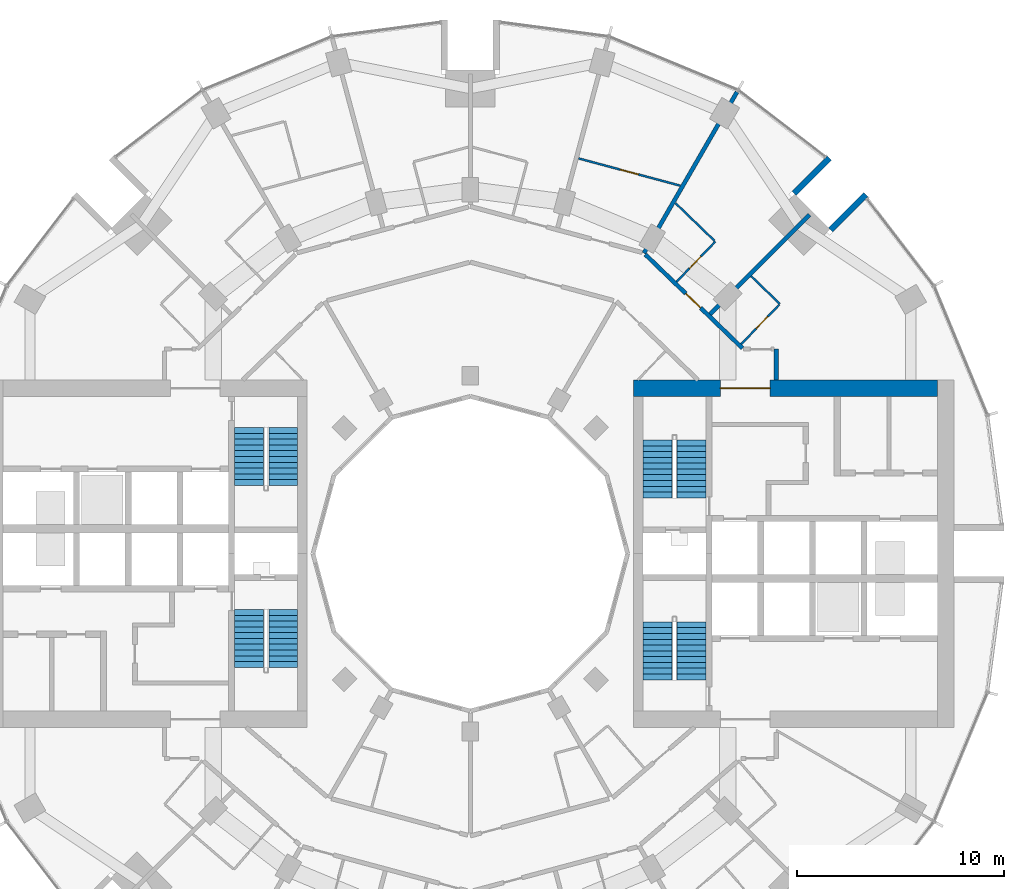
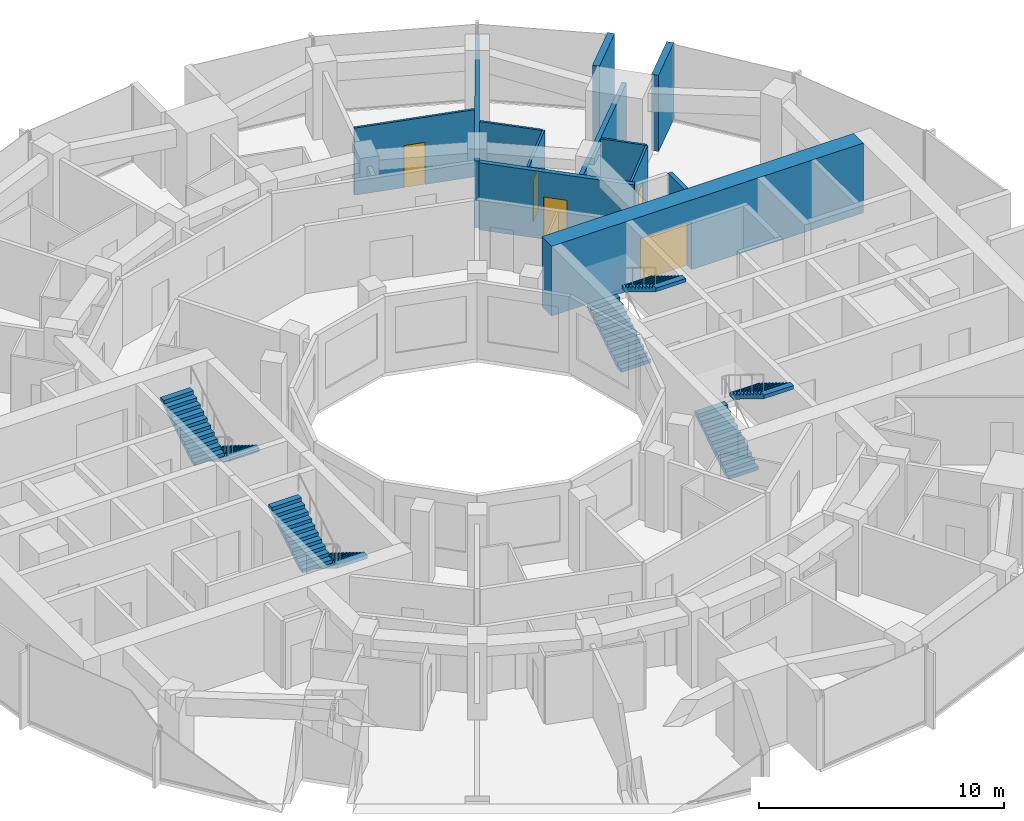
# One storey, part 13 of 15: 12 walls, 8 stair flights, 5 doors, 5 openings, 4 elements without a shape of their own.
"""IFC4 building model written with IfcOpenShell, lengths in metres."""

import ifcopenshell
import ifcopenshell.guid

model = None  # the IFC model being written
_history = None  # IfcOwnerHistory: only IFC2X3 demands one
_inside = {}  # id of a spatial element -> (the spatial element, [elements in it])
_under = {}  # id of a project, library or spatial element -> (it, [spatial elements below it])
_declared = {}  # id of a project -> (the project, [libraries it declares])
_typed = {}  # id of a type object -> (the type object, [elements of that type])
_made_of = {}  # id of a material, layer set ... -> (it, [elements and type objects made of it])


def new_model(schema):
    """Start an empty IFC model of exactly this schema.

    Asked for "IFC4X3", IfcOpenShell would pick the latest addendum, in which some entities
    have other attributes; the version numbers below select the first issue.
    IFC2X3 requires an IfcOwnerHistory on every rooted entity: one is made here for all.
    """
    global model, _history
    if schema == "IFC4X3":
        model = ifcopenshell.file(schema_version=(4, 3, 0, 0))
    else:
        model = ifcopenshell.file(schema=schema)
    _inside.clear()
    _under.clear()
    _declared.clear()
    _typed.clear()
    _made_of.clear()
    _history = None
    if model.schema == "IFC2X3":
        org = make("IfcOrganization", Name="unknown")
        user = make(
            "IfcPersonAndOrganization",
            ThePerson=make("IfcPerson", FamilyName="unknown"),
            TheOrganization=org,
        )
        app = make(
            "IfcApplication",
            ApplicationDeveloper=org,
            Version="unknown",
            ApplicationFullName="unknown",
            ApplicationIdentifier="unknown",
        )
        _history = make(
            "IfcOwnerHistory",
            OwningUser=user,
            OwningApplication=app,
            ChangeAction="ADDED",
            CreationDate=0,
        )
    return model


def make(cls, **values):
    """One entity of the class cls with the attributes given. An attribute that is None is left unset."""
    return model.create_entity(
        cls, **{name: value for name, value in values.items() if value is not None}
    )


def rooted(cls, **values):
    """An entity with a GlobalId (a new one), such as an element, a storey or a relation."""
    return make(cls, GlobalId=ifcopenshell.guid.new(), OwnerHistory=_history, **values)


def si_unit(unit_type, name, prefix=None):
    """IfcSIUnit, for example si_unit("LENGTHUNIT", "METRE", prefix="MILLI")."""
    return make("IfcSIUnit", UnitType=unit_type, Prefix=prefix, Name=name)


def assignment(units):
    """IfcUnitAssignment: the units of a project."""
    return None if units is None else make("IfcUnitAssignment", Units=units)


def point(xyz):
    """IfcCartesianPoint."""
    return None if xyz is None else make("IfcCartesianPoint", Coordinates=xyz)


def direction(xyz):
    """IfcDirection."""
    return None if xyz is None else make("IfcDirection", DirectionRatios=xyz)


def frame(location, z_axis=None, x_axis=None):
    """IfcAxis2Placement3D, a coordinate frame: its origin and axes. An axis left out is left unset."""
    return make(
        "IfcAxis2Placement3D",
        Location=point(location),
        Axis=direction(z_axis),
        RefDirection=direction(x_axis),
    )


def frame_2d(location, x_axis=None):
    """IfcAxis2Placement2D, a coordinate frame in the plane: its origin and x axis."""
    return make(
        "IfcAxis2Placement2D", Location=point(location), RefDirection=direction(x_axis)
    )


def origin():
    """The frame at (0, 0, 0) with its axes left unset."""
    return frame((0.0, 0.0, 0.0))


def place(relative_to, where):
    """IfcLocalPlacement: puts the frame where relative to a parent placement (None: the world)."""
    return make(
        "IfcLocalPlacement", PlacementRelTo=relative_to, RelativePlacement=where
    )


def context(
    kind, dimensions, precision=None, world=None, true_north=None, identifier=None
):
    """IfcGeometricRepresentationContext, for example the 3D "Model" context."""
    return make(
        "IfcGeometricRepresentationContext",
        ContextIdentifier=identifier,
        ContextType=kind,
        CoordinateSpaceDimension=dimensions,
        Precision=precision,
        WorldCoordinateSystem=world,
        TrueNorth=true_north,
    )


def subcontext(parent, identifier, kind, view, scale=None):
    """IfcGeometricRepresentationSubContext, for example "Body" below "Model"."""
    return make(
        "IfcGeometricRepresentationSubContext",
        ContextIdentifier=identifier,
        ContextType=kind,
        ParentContext=parent,
        TargetScale=scale,
        TargetView=view,
    )


def project(units=None, contexts=None):
    """IfcProject with its units and contexts."""
    return rooted(
        "IfcProject",
        Name="project",
        RepresentationContexts=contexts,
        UnitsInContext=assignment(units),
    )


def spatial(cls, under=None, at=None, **own):
    """A site, building, storey or space (cls), placed at a placement, below another one or the project."""
    s = rooted(cls, ObjectPlacement=at, **own)
    if under is not None:
        _under.setdefault(under.id(), (under, []))[1].append(s)
    return s


def polyline(points):
    """IfcPolyline through the points."""
    return make("IfcPolyline", Points=[point(p) for p in points])


def profile(cls, at=None, kind="AREA", **sizes):
    """A parametric profile (cls). Its sizes go by their IFC names, for example OverallWidth=200.0."""
    return make(cls, ProfileType=kind, Position=at, **sizes)


def rectangle(**sizes):
    """IfcRectangleProfileDef."""
    return profile("IfcRectangleProfileDef", **sizes)


def outline(outer, holes=None, kind="AREA"):
    """IfcArbitraryClosedProfileDef: a profile drawn as a closed curve; with holes, ...WithVoids."""
    if holes is None:
        return make("IfcArbitraryClosedProfileDef", ProfileType=kind, OuterCurve=outer)
    return make(
        "IfcArbitraryProfileDefWithVoids",
        ProfileType=kind,
        OuterCurve=outer,
        InnerCurves=holes,
    )


def extrude(swept, where, along, depth):
    """IfcExtrudedAreaSolid: the profile swept, set in the frame where, extruded along a direction by depth."""
    return make(
        "IfcExtrudedAreaSolid",
        SweptArea=swept,
        Position=where,
        ExtrudedDirection=direction(along),
        Depth=depth,
    )


def shape(context_of_items, identifier, shape_type, items):
    """IfcShapeRepresentation: the items that make up one representation, for example the "Body"."""
    return make(
        "IfcShapeRepresentation",
        ContextOfItems=context_of_items,
        RepresentationIdentifier=identifier,
        RepresentationType=shape_type,
        Items=items,
    )


def material(Name=None, Category=None):
    """IfcMaterial."""
    return make("IfcMaterial", Name=Name, Category=Category)


def layer(
    of_material, thickness, ventilated=None, Name=None, Category=None, Priority=None
):
    """IfcMaterialLayer: one layer of a wall or slab, of a material (None: an air gap)."""
    return make(
        "IfcMaterialLayer",
        Material=of_material,
        LayerThickness=thickness,
        IsVentilated=ventilated,
        Name=Name,
        Category=Category,
        Priority=Priority,
    )


def layer_set(layers, Name=None):
    """IfcMaterialLayerSet."""
    return make("IfcMaterialLayerSet", MaterialLayers=layers, LayerSetName=Name)


def made_of(thing, what):
    """Note that an element or type object is made of a material, layer set ...; save() writes the relation."""
    if what is not None:
        _made_of.setdefault(what.id(), (what, []))[1].append(thing)
    return thing


def type_object(cls, material=None, **own):
    """A type object (cls), such as IfcWallType, which elements share."""
    return made_of(rooted(cls, **own), material)


def element(
    cls,
    number,
    at=None,
    inside=None,
    cuts=None,
    type_object=None,
    material=None,
    context=None,
    identifier="Body",
    shape_type=None,
    held_by="IfcProductDefinitionShape",
    body=None,
    shapes=None,
    **own,
):
    """One element of the class cls, such as IfcWall. Its Tag is "e" and its number.

    at: its placement. inside: the storey or other place that contains it. cuts: it is an
    opening in that element (IfcRelVoidsElement). A single representation is given by context,
    identifier, shape_type and body (its items); several are given by shapes. held_by: the class
    of the entity that holds the representations. save() writes the other relations.
    """
    e = rooted(cls, Tag="e%d" % number, ObjectPlacement=at, **own)
    if body is not None:
        shapes = [shape(context, identifier, shape_type, body)]
    if shapes is not None:
        e.Representation = make(held_by, Representations=shapes)
    if inside is not None:
        _inside.setdefault(inside.id(), (inside, []))[1].append(e)
    if cuts is not None:
        rooted(
            "IfcRelVoidsElement", RelatingBuildingElement=cuts, RelatedOpeningElement=e
        )
    if type_object is not None:
        _typed.setdefault(type_object.id(), (type_object, []))[1].append(e)
    return made_of(e, material)


def fill(opening, filler):
    """IfcRelFillsElement: the door or window that sits in an opening."""
    return rooted(
        "IfcRelFillsElement",
        RelatingOpeningElement=opening,
        RelatedBuildingElement=filler,
    )


def aggregate(whole, parts):
    """IfcRelAggregates: a whole, such as a stair, and the parts it consists of."""
    return rooted("IfcRelAggregates", RelatingObject=whole, RelatedObjects=parts)


def save(model, path):
    """Write the relations noted so far, then the file.

    IfcRelAggregates (storeys below a building ...), IfcRelContainedInSpatialStructure (elements
    in a storey), IfcRelDefinesByType, IfcRelAssociatesMaterial and IfcRelDeclares: one each for
    every whole, place, type object, material and project.
    """
    for whole, parts in _under.values():
        aggregate(whole, parts)
    for where, things in _inside.values():
        rooted(
            "IfcRelContainedInSpatialStructure",
            RelatedElements=things,
            RelatingStructure=where,
        )
    for kind, things in _typed.values():
        rooted("IfcRelDefinesByType", RelatedObjects=things, RelatingType=kind)
    for what, things in _made_of.values():
        rooted("IfcRelAssociatesMaterial", RelatedObjects=things, RelatingMaterial=what)
    for by, libraries in _declared.values():
        rooted("IfcRelDeclares", RelatingContext=by, RelatedDefinitions=libraries)
    model.write(path)


model = new_model("IFC4")

# Units and contexts
model_context = context("Model", 3, precision=1e-05, world=origin(), true_north=direction((0.0, 1.0)))
body_context = subcontext(model_context, "Body", "Model", "MODEL_VIEW")
ifc_project = project(units=[si_unit("LENGTHUNIT", "METRE"), si_unit("AREAUNIT", "SQUARE_METRE"), si_unit("VOLUMEUNIT", "CUBIC_METRE"), si_unit("PLANEANGLEUNIT", "RADIAN"), si_unit("MASSUNIT", "GRAM", prefix="KILO")], contexts=[model_context])

# Site, building, storey
site_placement = place(None, origin())
site = spatial("IfcSite", under=ifc_project, at=site_placement, CompositionType="ELEMENT")
building_placement = place(site_placement, origin())
building = spatial("IfcBuilding", under=site, at=building_placement, Name="Torre Brocal", CompositionType="ELEMENT")
storey_placement = place(building_placement, frame((0.0, 0.0, 40.199951171875)))
storey = spatial("IfcBuildingStorey", under=building, at=storey_placement, Name="L08", CompositionType="ELEMENT", Elevation=40.199951171875)

# Wall, opening, door
ifc_material_1 = material(Name="Concrete C80", Category="concrete")
ifc_layer_1 = layer(ifc_material_1, 0.800048828125)
ifc_layer_set_1 = layer_set([ifc_layer_1], Name="Concrete C80")
wall_type_1 = type_object("IfcWallType", Name="CORE WALL 800 C80", PredefinedType="SHEAR", material=ifc_layer_set_1)
wall_1_placement = place(storey_placement, frame((87.89990234375, 83.0, 0.0), z_axis=(0.0, 0.0, 1.0), x_axis=(1.0, 0.0, 0.0)))
wall_1 = element("IfcWall", 1, at=wall_1_placement, inside=storey, type_object=wall_type_1, Name="Wall CW800-80", PredefinedType="SHEAR", context=body_context, shape_type="SweptSolid", body=[
    extrude(rectangle(XDim=14.7001953125, YDim=0.800048828125, at=frame_2d((7.35009765625, 0.0))), origin(), (0.0, 0.0, 1.0), 3.47998046875),
])
opening_1_placement = place(wall_1_placement, frame((4.199951171875, 0.0, 0.0)))
opening_1 = element("IfcOpeningElement", 2, at=opening_1_placement, cuts=wall_1, Name="Opening E-D24", PredefinedType="OPENING", context=body_context, shape_type="SweptSolid", body=[
    extrude(rectangle(XDim=2.39990234375, YDim=2.39990234375, at=frame_2d((1.199951171875, 1.199951171875))), frame((0.0, 0.409912109375, 0.0), z_axis=(0.0, -1.0, 0.0), x_axis=(1.0, 0.0, 0.0)), (0.0, 0.0, 1.0), 0.820068359375),
])
ifc_material_2 = material(Name="Steel A653", Category="steel")
door_type_1 = type_object("IfcDoorType", Name="DOUBLE FIRE DOOR FD90 2400X2400", OperationType="DOUBLE_DOOR_SINGLE_SWING", PredefinedType="DOOR", material=ifc_material_2)
door_1_placement = place(opening_1_placement, frame((2.39990234375, 0.0, 0.0), z_axis=(0.0, 0.0, 1.0), x_axis=(-1.0, 0.0, 0.0)))
door_1 = element("IfcDoor", 3, at=door_1_placement, inside=storey, type_object=door_type_1, Name="Door E-D24", OperationType="DOUBLE_DOOR_SINGLE_SWING", OverallHeight=2.39990234375, OverallWidth=2.39990234375, PredefinedType="DOOR", context=body_context, shape_type="SweptSolid", body=[
    extrude(rectangle(XDim=2.39990234375, YDim=2.39990234375, at=frame_2d((1.199951171875, 1.199951171875))), frame((0.0, 0.02490234375, 0.0), z_axis=(0.0, -1.0, 0.0), x_axis=(1.0, 0.0, 0.0)), (0.0, 0.0, 1.0), 0.050048828125),
])
fill(opening_1, door_1)

# Walls
ifc_material_3 = material(Name="Concrete C80", Category="concrete")
ifc_layer_2 = layer(ifc_material_3, 0.300048828125)
ifc_layer_set_2 = layer_set([ifc_layer_2], Name="Concrete C80")
wall_type_2 = type_object("IfcWallType", Name="NOTCH RETURN WALL 300 C80", PredefinedType="NOTDEFINED", material=ifc_layer_set_2)
for number, where, z_axis, x_axis, name in (
    (4, (97.43017578125, 90.662353515625, 0.0), (0.0, 0.0, 1.0), (0.707106781187, 0.707106781187, 0.0), "NOTCH RETURN WALL"),
    (5, (95.662353515625, 92.43017578125, 0.0), (0.0, 0.0, 1.0), (0.707106781187, 0.707106781187, 0.0), "NOTCH RETURN WALL"),
):
    element("IfcWall", number, at=place(storey_placement, frame(where, z_axis=z_axis, x_axis=x_axis)), inside=storey, type_object=wall_type_2, Name=name, PredefinedType="NOTDEFINED", context=body_context, shape_type="SweptSolid", body=[
        extrude(rectangle(XDim=2.415771484375, YDim=0.300048828125, at=frame_2d((1.2080078125, 0.0))), origin(), (0.0, 0.0, 1.0), 3.800048828125),
    ])

# Wall, opening, door
ifc_material_4 = material(Name="Gypsum board", Category="Gypsum")
ifc_layer_3 = layer(ifc_material_4, 0.10009765625)
ifc_layer_set_3 = layer_set([ifc_layer_3], Name="Gypsum board")
wall_type_3 = type_object("IfcWallType", Name="PARTITION 100", PredefinedType="PARTITIONING", material=ifc_layer_set_3)
wall_2_placement = place(storey_placement, frame((85.2373046875, 94.119384765625, 0.0), z_axis=(0.0, 0.0, 1.0), x_axis=(0.965923866142, -0.258826360359, 0.0)))
wall_2 = element("IfcWall", 6, at=wall_2_placement, inside=storey, type_object=wall_type_3, Name="ROOM PARTITION", PredefinedType="PARTITIONING", context=body_context, shape_type="SweptSolid", body=[
    extrude(rectangle(XDim=5.091796875, YDim=0.10009765625, at=frame_2d((2.5458984375, 0.0))), origin(), (0.0, 0.0, 1.0), 3.35009765625),
])
opening_2_placement = place(wall_2_placement, frame((2.095947265625, 0.0, 0.0)))
opening_2 = element("IfcOpeningElement", 7, at=opening_2_placement, cuts=wall_2, Name="Opening H02-D06", PredefinedType="OPENING", context=body_context, shape_type="SweptSolid", body=[
    extrude(rectangle(XDim=0.89990234375, YDim=2.10009765625, at=frame_2d((0.449951171875, 1.050048828125))), frame((0.0, 0.06005859375, 0.0), z_axis=(0.0, -1.0, 0.0), x_axis=(1.0, 0.0, 0.0)), (0.0, 0.0, 1.0), 0.1201171875),
])
ifc_material_5 = material(Name="Timber", Category="wood")
door_type_2 = type_object("IfcDoorType", Name="ROOM DOOR 900X2100", OperationType="SINGLE_SWING_LEFT", PredefinedType="DOOR", material=ifc_material_5)
door_2_placement = place(opening_2_placement, frame((0.89990234375, 0.0, 0.0), z_axis=(0.0, 0.0, 1.0), x_axis=(-1.0, 0.0, 0.0)))
door_2 = element("IfcDoor", 8, at=door_2_placement, inside=storey, type_object=door_type_2, Name="H02-D06", OperationType="SINGLE_SWING_LEFT", OverallHeight=2.10009765625, OverallWidth=0.89990234375, PredefinedType="DOOR", context=body_context, shape_type="SweptSolid", body=[
    extrude(rectangle(XDim=0.89990234375, YDim=2.10009765625, at=frame_2d((0.449951171875, 1.050048828125))), frame((0.0, 0.02490234375, 0.0), z_axis=(0.0, -1.0, 0.0), x_axis=(1.0, 0.0, 0.0)), (0.0, 0.0, 1.0), 0.050048828125),
])
fill(opening_2, door_2)

# Wall
wall_3_placement = place(storey_placement, frame((89.925048828125, 91.956298828125, 0.0), z_axis=(0.0, 0.0, 1.0), x_axis=(0.71931338148, -0.694685726947, 0.0)))
element("IfcWall", 9, at=wall_3_placement, inside=storey, type_object=wall_type_3, Name="BATHROOM WALL", PredefinedType="PARTITIONING", context=body_context, shape_type="SweptSolid", body=[
    extrude(rectangle(XDim=2.626953125, YDim=0.10009765625, at=frame_2d((1.3134765625, 0.0))), origin(), (0.0, 0.0, 1.0), 3.35009765625),
])

# Wall, opening, door
wall_4_placement = place(storey_placement, frame((89.9755859375, 88.154052734375, 0.0), z_axis=(0.0, 0.0, 1.0), x_axis=(0.6945137956, 0.719479386585, 0.0)))
wall_4 = element("IfcWall", 10, at=wall_4_placement, inside=storey, type_object=wall_type_3, Name="BATHROOM WALL", PredefinedType="PARTITIONING", context=body_context, shape_type="SweptSolid", body=[
    extrude(rectangle(XDim=2.698974609375, YDim=0.10009765625, at=frame_2d((1.349609375, 0.0))), origin(), (0.0, 0.0, 1.0), 3.35009765625),
])
opening_3_placement = place(wall_4_placement, frame((0.899658203125, 0.0, 0.0)))
opening_3 = element("IfcOpeningElement", 11, at=opening_3_placement, cuts=wall_4, Name="Opening H02-D04", PredefinedType="OPENING", context=body_context, shape_type="SweptSolid", body=[
    extrude(rectangle(XDim=0.800048828125, YDim=2.10009765625, at=frame_2d((0.39990234375, 1.050048828125))), frame((0.0, 0.06005859375, 0.0), z_axis=(0.0, -1.0, 0.0), x_axis=(1.0, 0.0, 0.0)), (0.0, 0.0, 1.0), 0.1201171875),
])
ifc_material_6 = material(Name="Timber", Category="wood")
door_type_3 = type_object("IfcDoorType", Name="BATHROOM DOOR 800X2100", OperationType="SINGLE_SWING_LEFT", PredefinedType="DOOR", material=ifc_material_6)
door_3_placement = place(opening_3_placement, origin())
door_3 = element("IfcDoor", 12, at=door_3_placement, inside=storey, type_object=door_type_3, Name="H02-D04", OperationType="SINGLE_SWING_LEFT", OverallHeight=2.10009765625, OverallWidth=0.800048828125, PredefinedType="DOOR", context=body_context, shape_type="SweptSolid", body=[
    extrude(rectangle(XDim=0.800048828125, YDim=2.10009765625, at=frame_2d((0.39990234375, 1.050048828125))), frame((0.0, 0.02490234375, 0.0), z_axis=(0.0, -1.0, 0.0), x_axis=(1.0, 0.0, 0.0)), (0.0, 0.0, 1.0), 0.050048828125),
])
fill(opening_3, door_3)

wall_5_placement = place(storey_placement, frame((93.103515625, 85.135986328125, 0.0), z_axis=(0.0, 0.0, 1.0), x_axis=(0.694324808789, 0.719661767708, 0.0)))
wall_5 = element("IfcWall", 13, at=wall_5_placement, inside=storey, type_object=wall_type_3, Name="BATHROOM WALL", PredefinedType="PARTITIONING", context=body_context, shape_type="SweptSolid", body=[
    extrude(rectangle(XDim=2.64990234375, YDim=0.10009765625, at=frame_2d((1.324951171875, 0.0))), origin(), (0.0, 0.0, 1.0), 3.35009765625),
])
opening_4_placement = place(wall_5_placement, frame((1.0498046875, 0.0, 0.0)))
opening_4 = element("IfcOpeningElement", 14, at=opening_4_placement, cuts=wall_5, Name="Opening H02-D02", PredefinedType="OPENING", context=body_context, shape_type="SweptSolid", body=[
    extrude(rectangle(XDim=0.800048828125, YDim=2.10009765625, at=frame_2d((0.39990234375, 1.050048828125))), frame((0.0, 0.06005859375, 0.0), z_axis=(0.0, -1.0, 0.0), x_axis=(1.0, 0.0, 0.0)), (0.0, 0.0, 1.0), 0.1201171875),
])
door_4_placement = place(opening_4_placement, origin())
door_4 = element("IfcDoor", 15, at=door_4_placement, inside=storey, type_object=door_type_3, Name="H02-D02", OperationType="SINGLE_SWING_RIGHT", OverallHeight=2.10009765625, OverallWidth=0.800048828125, PredefinedType="DOOR", context=body_context, shape_type="SweptSolid", body=[
    extrude(rectangle(XDim=0.800048828125, YDim=2.10009765625, at=frame_2d((0.39990234375, 1.050048828125))), frame((0.0, 0.02490234375, 0.0), z_axis=(0.0, -1.0, 0.0), x_axis=(1.0, 0.0, 0.0)), (0.0, 0.0, 1.0), 0.050048828125),
])
fill(opening_4, door_4)

# Wall
wall_6_placement = place(storey_placement, frame((93.58154296875, 88.425048828125, 0.0), z_axis=(0.0, 0.0, 1.0), x_axis=(0.719334224501, -0.694664144361, 0.0)))
element("IfcWall", 16, at=wall_6_placement, inside=storey, type_object=wall_type_3, Name="BATHROOM WALL", PredefinedType="PARTITIONING", context=body_context, shape_type="SweptSolid", body=[
    extrude(rectangle(XDim=1.939697265625, YDim=0.10009765625, at=frame_2d((0.9697265625, 0.0))), origin(), (0.0, 0.0, 1.0), 3.35009765625),
])

# Wall, opening, door
ifc_material_7 = material(Name="Gypsum board", Category="Gypsum")
ifc_layer_4 = layer(ifc_material_7, 0.199951171875)
ifc_layer_set_4 = layer_set([ifc_layer_4], Name="Gypsum board")
wall_type_4 = type_object("IfcWallType", Name="PARTITION 200 EI60", PredefinedType="PARTITIONING", material=ifc_layer_set_4)
wall_7_placement = place(storey_placement, frame((88.46533203125, 89.472900390625, 0.0), z_axis=(0.0, 0.0, 1.0), x_axis=(0.719474304909, -0.694519059908, 0.0)))
wall_7 = element("IfcWall", 17, at=wall_7_placement, inside=storey, type_object=wall_type_4, Name="GUESTROOM CORRIDOR WALL", PredefinedType="PARTITIONING", context=body_context, shape_type="SweptSolid", body=[
    extrude(rectangle(XDim=6.525390625, YDim=0.199951171875, at=frame_2d((3.2626953125, 0.0))), origin(), (0.0, 0.0, 1.0), 3.35009765625),
])
opening_5_placement = place(wall_7_placement, frame((2.718505859375, 0.0, 0.0)))
opening_5 = element("IfcOpeningElement", 18, at=opening_5_placement, cuts=wall_7, Name="Opening H02-D03", PredefinedType="OPENING", context=body_context, shape_type="SweptSolid", body=[
    extrude(rectangle(XDim=1.0, YDim=2.10009765625, at=frame_2d((0.5, 1.050048828125))), frame((0.0, 0.10986328125, 0.0), z_axis=(0.0, -1.0, 0.0), x_axis=(1.0, 0.0, 0.0)), (0.0, 0.0, 1.0), 0.219970703125),
])
ifc_material_8 = material(Name="Timber", Category="wood")
door_type_4 = type_object("IfcDoorType", Name="FLAT ENTRY DOOR FD30S 1000X2100", OperationType="SINGLE_SWING_RIGHT", PredefinedType="DOOR", material=ifc_material_8)
door_5_placement = place(opening_5_placement, origin())
door_5 = element("IfcDoor", 19, at=door_5_placement, inside=storey, type_object=door_type_4, Name="H02-D03", OperationType="SINGLE_SWING_RIGHT", OverallHeight=2.10009765625, OverallWidth=1.0, PredefinedType="DOOR", context=body_context, shape_type="SweptSolid", body=[
    extrude(rectangle(XDim=1.0, YDim=2.10009765625, at=frame_2d((0.5, 1.050048828125))), frame((0.0, 0.02490234375, 0.0), z_axis=(0.0, -1.0, 0.0), x_axis=(1.0, 0.0, 0.0)), (0.0, 0.0, 1.0), 0.050048828125),
])
fill(opening_5, door_5)

# Walls
wall_8_placement = place(storey_placement, frame((88.397216796875, 89.538818359375, 0.0), z_axis=(0.0, 0.0, 1.0), x_axis=(0.500228379329, 0.86589350876, 0.0)))
element("IfcWall", 20, at=wall_8_placement, inside=storey, type_object=wall_type_4, Name="BATHROOM WALL", PredefinedType="PARTITIONING", context=body_context, shape_type="SweptSolid", body=[
    extrude(rectangle(XDim=9.008056640625, YDim=0.199951171875, at=frame_2d((4.50390625, 0.0))), origin(), (0.0, 0.0, 1.0), 3.35009765625),
])
wall_9_placement = place(storey_placement, frame((91.595458984375, 86.59033203125, 0.0), z_axis=(0.0, 0.0, 1.0), x_axis=(0.707232337591, 0.706981202484, 0.0)))
element("IfcWall", 21, at=wall_9_placement, inside=storey, type_object=wall_type_4, Name="BATHROOM WALL", PredefinedType="PARTITIONING", context=body_context, shape_type="SweptSolid", body=[
    extrude(rectangle(XDim=6.804931640625, YDim=0.199951171875, at=frame_2d((3.40234375, 0.0))), origin(), (0.0, 0.0, 1.0), 3.35009765625),
])
wall_10_placement = place(storey_placement, frame((94.800048828125, 83.40087890625, 0.0), z_axis=(0.0, 0.0, 1.0), x_axis=(0.0, 1.0, 0.0)))
element("IfcWall", 22, at=wall_10_placement, inside=storey, type_object=wall_type_4, Name="GUESTROOM CORRIDOR WALL", PredefinedType="PARTITIONING", context=body_context, shape_type="SweptSolid", body=[
    extrude(rectangle(XDim=1.4990234375, YDim=0.199951171875, at=frame_2d((0.74951171875, 0.0))), origin(), (0.0, 0.0, 1.0), 3.35009765625),
])

# Stair, stair flights
ifc_material_9 = material(Name="Concrete C50", Category="concrete")
stair_type = type_object("IfcStairType", Name="EXIT STAIR", PredefinedType="HALF_TURN_STAIR", material=ifc_material_9)
stair_1_placement = place(storey_placement, origin())
stair_1 = element("IfcStair", 23, at=stair_1_placement, inside=storey, type_object=stair_type, Name="EXIT STAIR ST1", PredefinedType="HALF_TURN_STAIR")
ifc_material_10 = material(Name="Concrete C50", Category="concrete")
ifc_layer_5 = layer(ifc_material_10, 0.14990234375)
ifc_layer_set_5 = layer_set([ifc_layer_5], Name="Concrete C50")
stair_flight_type = type_object("IfcStairFlightType", Name="STAIR FLIGHT", PredefinedType="STRAIGHT", material=ifc_layer_set_5)
stair_flight_1_placement = place(storey_placement, frame((89.050048828125, 77.699951171875, 0.0), z_axis=(0.0, 0.0, 1.0), x_axis=(0.0, 1.0, 0.0)))
stair_flight_1 = element("IfcStairFlight", 24, at=stair_flight_1_placement, type_object=stair_flight_type, Name="ST1 flight 1", NumberOfRisers=11, NumberOfTreads=10, PredefinedType="STRAIGHT", RiserHeight=0.172727273, TreadLength=0.28, context=body_context, shape_type="SweptSolid", body=[
    extrude(outline(polyline([(0.0, 0.0), (0.0, 0.172607421875), (0.280029296875, 0.172607421875), (0.280029296875, 0.345458984375), (0.56005859375, 0.345458984375), (0.56005859375, 0.51806640625), (0.840087890625, 0.51806640625), (0.840087890625, 0.69091796875), (1.1201171875, 0.69091796875), (1.1201171875, 0.863525390625), (1.39990234375, 0.863525390625), (1.39990234375, 1.036376953125), (1.679931640625, 1.036376953125), (1.679931640625, 1.208984375), (1.9599609375, 1.208984375), (1.9599609375, 1.3818359375), (2.239990234375, 1.3818359375), (2.239990234375, 1.554443359375), (2.52001953125, 1.554443359375), (2.52001953125, 1.727294921875), (2.800048828125, 1.727294921875), (2.800048828125, 1.89990234375), (2.800048828125, 1.551025390625), (0.285400390625, 0.0), (0.0, 0.0)])), frame((0.0, 0.699951171875, 0.0), z_axis=(0.0, -1.0, 0.0), x_axis=(1.0, 0.0, 0.0)), (0.0, 0.0, 1.0), 1.39990234375),
])
stair_flight_2_placement = place(storey_placement, frame((90.699951171875, 80.5, 1.900146484375), z_axis=(0.0, 0.0, 1.0), x_axis=(0.0, -1.0, 0.0)))
stair_flight_2 = element("IfcStairFlight", 25, at=stair_flight_2_placement, type_object=stair_flight_type, Name="ST1 flight 2", NumberOfRisers=11, NumberOfTreads=10, PredefinedType="STRAIGHT", RiserHeight=0.172727273, TreadLength=0.28, context=body_context, shape_type="SweptSolid", body=[
    extrude(outline(polyline([(0.0, 0.0), (0.0, 0.172607421875), (0.280029296875, 0.172607421875), (0.280029296875, 0.345458984375), (0.56005859375, 0.345458984375), (0.56005859375, 0.51806640625), (0.840087890625, 0.51806640625), (0.840087890625, 0.69091796875), (1.1201171875, 0.69091796875), (1.1201171875, 0.863525390625), (1.39990234375, 0.863525390625), (1.39990234375, 1.036376953125), (1.679931640625, 1.036376953125), (1.679931640625, 1.208984375), (1.9599609375, 1.208984375), (1.9599609375, 1.3818359375), (2.239990234375, 1.3818359375), (2.239990234375, 1.554443359375), (2.52001953125, 1.554443359375), (2.52001953125, 1.727294921875), (2.800048828125, 1.727294921875), (2.800048828125, 1.89990234375), (2.800048828125, 1.551025390625), (0.285400390625, 0.0), (0.0, 0.0)])), frame((0.0, 0.699951171875, 0.0), z_axis=(0.0, -1.0, 0.0), x_axis=(1.0, 0.0, 0.0)), (0.0, 0.0, 1.0), 1.39990234375),
])
aggregate(stair_1, [stair_flight_1, stair_flight_2])

stair_2_placement = place(storey_placement, origin())
stair_2 = element("IfcStair", 26, at=stair_2_placement, inside=storey, type_object=stair_type, Name="EXIT STAIR ST2", PredefinedType="HALF_TURN_STAIR")
stair_flight_3_placement = place(storey_placement, frame((89.050048828125, 68.89990234375, 0.0), z_axis=(0.0, 0.0, 1.0), x_axis=(0.0, 1.0, 0.0)))
stair_flight_3 = element("IfcStairFlight", 27, at=stair_flight_3_placement, type_object=stair_flight_type, Name="ST2 flight 1", NumberOfRisers=11, NumberOfTreads=10, PredefinedType="STRAIGHT", RiserHeight=0.172727273, TreadLength=0.28, context=body_context, shape_type="SweptSolid", body=[
    extrude(outline(polyline([(0.0, 0.0), (0.0, 0.172607421875), (0.280029296875, 0.172607421875), (0.280029296875, 0.345458984375), (0.56005859375, 0.345458984375), (0.56005859375, 0.51806640625), (0.840087890625, 0.51806640625), (0.840087890625, 0.69091796875), (1.1201171875, 0.69091796875), (1.1201171875, 0.863525390625), (1.39990234375, 0.863525390625), (1.39990234375, 1.036376953125), (1.679931640625, 1.036376953125), (1.679931640625, 1.208984375), (1.9599609375, 1.208984375), (1.9599609375, 1.3818359375), (2.239990234375, 1.3818359375), (2.239990234375, 1.554443359375), (2.52001953125, 1.554443359375), (2.52001953125, 1.727294921875), (2.800048828125, 1.727294921875), (2.800048828125, 1.89990234375), (2.800048828125, 1.551025390625), (0.285400390625, 0.0), (0.0, 0.0)])), frame((0.0, 0.699951171875, 0.0), z_axis=(0.0, -1.0, 0.0), x_axis=(1.0, 0.0, 0.0)), (0.0, 0.0, 1.0), 1.39990234375),
])
stair_flight_4_placement = place(storey_placement, frame((90.699951171875, 71.699951171875, 1.900146484375), z_axis=(0.0, 0.0, 1.0), x_axis=(0.0, -1.0, 0.0)))
stair_flight_4 = element("IfcStairFlight", 28, at=stair_flight_4_placement, type_object=stair_flight_type, Name="ST2 flight 2", NumberOfRisers=11, NumberOfTreads=10, PredefinedType="STRAIGHT", RiserHeight=0.172727273, TreadLength=0.28, context=body_context, shape_type="SweptSolid", body=[
    extrude(outline(polyline([(0.0, 0.0), (0.0, 0.172607421875), (0.280029296875, 0.172607421875), (0.280029296875, 0.345458984375), (0.56005859375, 0.345458984375), (0.56005859375, 0.51806640625), (0.840087890625, 0.51806640625), (0.840087890625, 0.69091796875), (1.1201171875, 0.69091796875), (1.1201171875, 0.863525390625), (1.39990234375, 0.863525390625), (1.39990234375, 1.036376953125), (1.679931640625, 1.036376953125), (1.679931640625, 1.208984375), (1.9599609375, 1.208984375), (1.9599609375, 1.3818359375), (2.239990234375, 1.3818359375), (2.239990234375, 1.554443359375), (2.52001953125, 1.554443359375), (2.52001953125, 1.727294921875), (2.800048828125, 1.727294921875), (2.800048828125, 1.89990234375), (2.800048828125, 1.551025390625), (0.285400390625, 0.0), (0.0, 0.0)])), frame((0.0, 0.699951171875, 0.0), z_axis=(0.0, -1.0, 0.0), x_axis=(1.0, 0.0, 0.0)), (0.0, 0.0, 1.0), 1.39990234375),
])
aggregate(stair_2, [stair_flight_3, stair_flight_4])

stair_3_placement = place(storey_placement, origin())
stair_3 = element("IfcStair", 29, at=stair_3_placement, inside=storey, type_object=stair_type, Name="EXIT STAIR ST3", PredefinedType="HALF_TURN_STAIR")
stair_flight_5_placement = place(storey_placement, frame((70.949951171875, 72.300048828125, 0.0), z_axis=(0.0, 0.0, 1.0), x_axis=(0.0, -1.0, 0.0)))
stair_flight_5 = element("IfcStairFlight", 30, at=stair_flight_5_placement, type_object=stair_flight_type, Name="ST3 flight 1", NumberOfRisers=11, NumberOfTreads=10, PredefinedType="STRAIGHT", RiserHeight=0.172727273, TreadLength=0.28, context=body_context, shape_type="SweptSolid", body=[
    extrude(outline(polyline([(0.0, 0.0), (0.0, 0.172607421875), (0.280029296875, 0.172607421875), (0.280029296875, 0.345458984375), (0.56005859375, 0.345458984375), (0.56005859375, 0.51806640625), (0.840087890625, 0.51806640625), (0.840087890625, 0.69091796875), (1.1201171875, 0.69091796875), (1.1201171875, 0.863525390625), (1.39990234375, 0.863525390625), (1.39990234375, 1.036376953125), (1.679931640625, 1.036376953125), (1.679931640625, 1.208984375), (1.9599609375, 1.208984375), (1.9599609375, 1.3818359375), (2.239990234375, 1.3818359375), (2.239990234375, 1.554443359375), (2.52001953125, 1.554443359375), (2.52001953125, 1.727294921875), (2.800048828125, 1.727294921875), (2.800048828125, 1.89990234375), (2.800048828125, 1.551025390625), (0.285400390625, 0.0), (0.0, 0.0)])), frame((0.0, 0.699951171875, 0.0), z_axis=(0.0, -1.0, 0.0), x_axis=(1.0, 0.0, 0.0)), (0.0, 0.0, 1.0), 1.39990234375),
])
stair_flight_6_placement = place(storey_placement, frame((69.300048828125, 69.5, 1.900146484375), z_axis=(0.0, 0.0, 1.0), x_axis=(0.0, 1.0, 0.0)))
stair_flight_6 = element("IfcStairFlight", 31, at=stair_flight_6_placement, type_object=stair_flight_type, Name="ST3 flight 2", NumberOfRisers=11, NumberOfTreads=10, PredefinedType="STRAIGHT", RiserHeight=0.172727273, TreadLength=0.28, context=body_context, shape_type="SweptSolid", body=[
    extrude(outline(polyline([(0.0, 0.0), (0.0, 0.172607421875), (0.280029296875, 0.172607421875), (0.280029296875, 0.345458984375), (0.56005859375, 0.345458984375), (0.56005859375, 0.51806640625), (0.840087890625, 0.51806640625), (0.840087890625, 0.69091796875), (1.1201171875, 0.69091796875), (1.1201171875, 0.863525390625), (1.39990234375, 0.863525390625), (1.39990234375, 1.036376953125), (1.679931640625, 1.036376953125), (1.679931640625, 1.208984375), (1.9599609375, 1.208984375), (1.9599609375, 1.3818359375), (2.239990234375, 1.3818359375), (2.239990234375, 1.554443359375), (2.52001953125, 1.554443359375), (2.52001953125, 1.727294921875), (2.800048828125, 1.727294921875), (2.800048828125, 1.89990234375), (2.800048828125, 1.551025390625), (0.285400390625, 0.0), (0.0, 0.0)])), frame((0.0, 0.699951171875, 0.0), z_axis=(0.0, -1.0, 0.0), x_axis=(1.0, 0.0, 0.0)), (0.0, 0.0, 1.0), 1.39990234375),
])
aggregate(stair_3, [stair_flight_5, stair_flight_6])

stair_4_placement = place(storey_placement, origin())
stair_4 = element("IfcStair", 32, at=stair_4_placement, inside=storey, type_object=stair_type, Name="EXIT STAIR ST4", PredefinedType="HALF_TURN_STAIR")
stair_flight_7_placement = place(storey_placement, frame((70.949951171875, 81.10009765625, 0.0), z_axis=(0.0, 0.0, 1.0), x_axis=(0.0, -1.0, 0.0)))
stair_flight_7 = element("IfcStairFlight", 33, at=stair_flight_7_placement, type_object=stair_flight_type, Name="ST4 flight 1", NumberOfRisers=11, NumberOfTreads=10, PredefinedType="STRAIGHT", RiserHeight=0.172727273, TreadLength=0.28, context=body_context, shape_type="SweptSolid", body=[
    extrude(outline(polyline([(0.0, 0.0), (0.0, 0.172607421875), (0.280029296875, 0.172607421875), (0.280029296875, 0.345458984375), (0.56005859375, 0.345458984375), (0.56005859375, 0.51806640625), (0.840087890625, 0.51806640625), (0.840087890625, 0.69091796875), (1.1201171875, 0.69091796875), (1.1201171875, 0.863525390625), (1.39990234375, 0.863525390625), (1.39990234375, 1.036376953125), (1.679931640625, 1.036376953125), (1.679931640625, 1.208984375), (1.9599609375, 1.208984375), (1.9599609375, 1.3818359375), (2.239990234375, 1.3818359375), (2.239990234375, 1.554443359375), (2.52001953125, 1.554443359375), (2.52001953125, 1.727294921875), (2.800048828125, 1.727294921875), (2.800048828125, 1.89990234375), (2.800048828125, 1.551025390625), (0.285400390625, 0.0), (0.0, 0.0)])), frame((0.0, 0.699951171875, 0.0), z_axis=(0.0, -1.0, 0.0), x_axis=(1.0, 0.0, 0.0)), (0.0, 0.0, 1.0), 1.39990234375),
])
stair_flight_8_placement = place(storey_placement, frame((69.300048828125, 78.300048828125, 1.900146484375), z_axis=(0.0, 0.0, 1.0), x_axis=(0.0, 1.0, 0.0)))
stair_flight_8 = element("IfcStairFlight", 34, at=stair_flight_8_placement, type_object=stair_flight_type, Name="ST4 flight 2", NumberOfRisers=11, NumberOfTreads=10, PredefinedType="STRAIGHT", RiserHeight=0.172727273, TreadLength=0.28, context=body_context, shape_type="SweptSolid", body=[
    extrude(outline(polyline([(0.0, 0.0), (0.0, 0.172607421875), (0.280029296875, 0.172607421875), (0.280029296875, 0.345458984375), (0.56005859375, 0.345458984375), (0.56005859375, 0.51806640625), (0.840087890625, 0.51806640625), (0.840087890625, 0.69091796875), (1.1201171875, 0.69091796875), (1.1201171875, 0.863525390625), (1.39990234375, 0.863525390625), (1.39990234375, 1.036376953125), (1.679931640625, 1.036376953125), (1.679931640625, 1.208984375), (1.9599609375, 1.208984375), (1.9599609375, 1.3818359375), (2.239990234375, 1.3818359375), (2.239990234375, 1.554443359375), (2.52001953125, 1.554443359375), (2.52001953125, 1.727294921875), (2.800048828125, 1.727294921875), (2.800048828125, 1.89990234375), (2.800048828125, 1.551025390625), (0.285400390625, 0.0), (0.0, 0.0)])), frame((0.0, 0.699951171875, 0.0), z_axis=(0.0, -1.0, 0.0), x_axis=(1.0, 0.0, 0.0)), (0.0, 0.0, 1.0), 1.39990234375),
])
aggregate(stair_4, [stair_flight_7, stair_flight_8])

save(model, "model.ifc")
